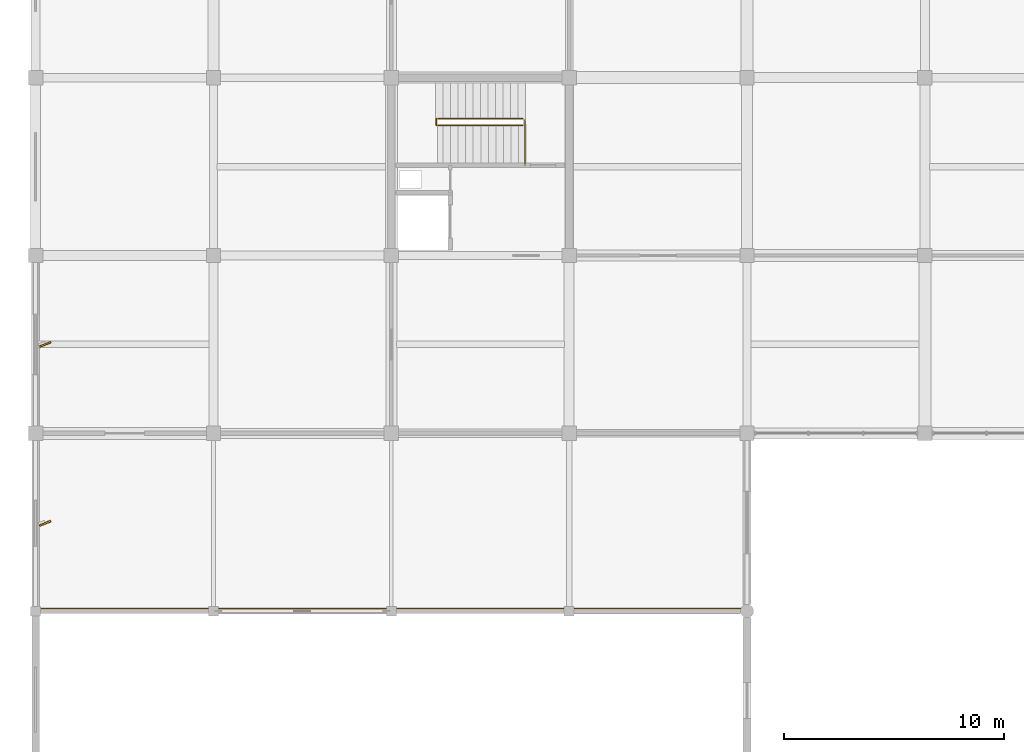
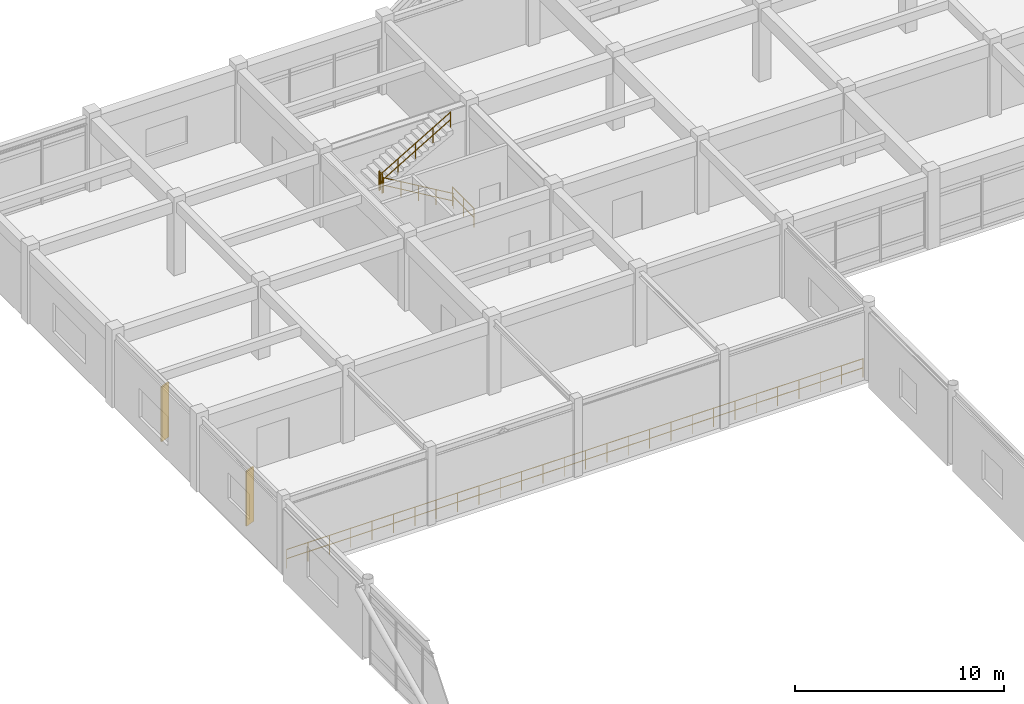
# One storey, part 87 of 93: 5 railings, 2 shading devices.
"""IFC4 building model written with IfcOpenShell, lengths in metres."""

from ifc_helpers import new_model, si_unit, direction, frame, origin, origin_2d, place, context, subcontext, project, spatial, rectangle, circle, extrude, material, type_object, element, save


model = new_model("IFC4")

# Units and contexts
model_context = context("Model", 3, precision=1e-05, world=origin(), true_north=direction((0.0, 1.0)))
body_context = subcontext(model_context, "Body", "Model", "MODEL_VIEW")
ifc_project = project(units=[si_unit("LENGTHUNIT", "METRE"), si_unit("AREAUNIT", "SQUARE_METRE"), si_unit("VOLUMEUNIT", "CUBIC_METRE"), si_unit("PLANEANGLEUNIT", "RADIAN"), si_unit("MASSUNIT", "GRAM", prefix="KILO")], contexts=[model_context])

# Site, building, storey
site_placement = place(None, origin())
site = spatial("IfcSite", under=ifc_project, at=site_placement, CompositionType="ELEMENT")
building_placement = place(site_placement, origin())
building = spatial("IfcBuilding", under=site, at=building_placement, Name="Vaudrelin Polytechnic", CompositionType="ELEMENT")
storey_placement = place(building_placement, frame((0.0, 0.0, 5.10009765625)))
storey = spatial("IfcBuildingStorey", under=building, at=storey_placement, Name="L01", CompositionType="ELEMENT", Elevation=5.10009765625)

# Shading devices
ifc_material_1 = material(Name="Anodised perforated aluminium AA 5005", Category="aluminium")
shading_device_type = type_object("IfcShadingDeviceType", Name="ENV-SF-FIN1", PredefinedType="USERDEFINED", material=ifc_material_1)
for number, where, z_axis, x_axis, name in (
    (1, (0.429931640625, 93.10009765625, 0.19970703125), (0.0, 0.0, 1.0), (0.927183854567, 0.374606593416, 0.0), "Perforated solar fin SF-017"),
    (2, (0.43994140625, 101.25, 0.19970703125), (0.0, 0.0, 1.0), (0.927183854567, 0.374606593416, 0.0), "Perforated solar fin SF-018"),
):
    element("IfcShadingDevice", number, at=place(storey_placement, frame(where, z_axis=z_axis, x_axis=x_axis)), inside=storey, type_object=shading_device_type, Name=name, ObjectType="SOLAR FIN", PredefinedType="USERDEFINED", context=body_context, shape_type="SweptSolid", body=[
        extrude(rectangle(XDim=0.550048828125, YDim=0.080078125, at=origin_2d()), origin(), (0.0, 0.0, 1.0), 3.199951171875),
    ])

# Railings
ifc_material_2 = material(Name="Brushed stainless steel AISI 304", Category="steel")
railing_type_1 = type_object("IfcRailingType", Name="RAL-GR-INT", PredefinedType="GUARDRAIL", material=ifc_material_2)
railing_1_placement = place(storey_placement, frame((22.280029296875, 109.409912109375, 0.0)))
element("IfcRailing", 3, at=railing_1_placement, inside=storey, type_object=railing_type_1, Name="ST-01-L00 upper well guardrail", PredefinedType="GUARDRAIL", context=body_context, shape_type="SweptSolid", body=[
    extrude(circle(Radius=0.02392578125, at=origin_2d()), frame((0.0, 0.023193359375, 1.09619140625), z_axis=(0.0, 1.0, 0.0), x_axis=(-1.0, 0.0, 0.0)), (0.0, 0.0, 1.0), 2.02392578125),
    extrude(circle(Radius=0.02392578125, at=origin_2d()), frame((0.0, 0.023193359375, 0.56005859375), z_axis=(0.0, 1.0, 0.0), x_axis=(-1.0, 0.0, 0.0)), (0.0, 0.0, 1.0), 2.02392578125),
    extrude(circle(Radius=0.02099609375, at=origin_2d()), origin(), (0.0, 0.0, 1.0), 1.1201171875),
    extrude(circle(Radius=0.02099609375, at=origin_2d()), frame((0.0, 1.03515625, 0.0)), (0.0, 0.0, 1.0), 1.1201171875),
    extrude(circle(Radius=0.02099609375, at=origin_2d()), frame((0.0, 2.070068359375, 0.0)), (0.0, 0.0, 1.0), 1.1201171875),
])
railing_2_placement = place(storey_placement, frame((18.25, 111.239990234375, 2.294921875)))
element("IfcRailing", 4, at=railing_2_placement, inside=storey, type_object=railing_type_1, Name="ST-01-L01 landing well guardrail", PredefinedType="GUARDRAIL", context=body_context, shape_type="SweptSolid", body=[
    extrude(circle(Radius=0.02392578125, at=origin_2d()), frame((0.0, 0.023193359375, 1.09619140625), z_axis=(0.0, 1.0, 0.0), x_axis=(-1.0, 0.0, 0.0)), (0.0, 0.0, 1.0), 0.23388671875),
    extrude(circle(Radius=0.02392578125, at=origin_2d()), frame((0.0, 0.023193359375, 0.56005859375), z_axis=(0.0, 1.0, 0.0), x_axis=(-1.0, 0.0, 0.0)), (0.0, 0.0, 1.0), 0.23388671875),
    extrude(circle(Radius=0.02099609375, at=origin_2d()), origin(), (0.0, 0.0, 1.0), 1.1201171875),
    extrude(circle(Radius=0.02099609375, at=origin_2d()), frame((0.0, 0.280029296875, 0.0)), (0.0, 0.0, 1.0), 1.1201171875),
])
railing_3_placement = place(storey_placement, frame((0.25, 89.219970703125, 0.0)))
element("IfcRailing", 5, at=railing_3_placement, inside=storey, type_object=railing_type_1, Name="Workshop mezzanine south edge guardrail", PredefinedType="GUARDRAIL", context=body_context, shape_type="SweptSolid", body=[
    extrude(circle(Radius=0.02392578125, at=origin_2d()), frame((0.023193359375, 0.0, 1.09619140625), z_axis=(1.0, 0.0, 0.0), x_axis=(0.0, 1.0, 0.0)), (0.0, 0.0, 1.0), 31.853759765625),
    extrude(circle(Radius=0.02392578125, at=origin_2d()), frame((0.023193359375, 0.0, 0.56005859375), z_axis=(1.0, 0.0, 0.0), x_axis=(0.0, 1.0, 0.0)), (0.0, 0.0, 1.0), 31.853759765625),
    extrude(circle(Radius=0.02099609375, at=origin_2d()), origin(), (0.0, 0.0, 1.0), 1.1201171875),
    extrude(circle(Radius=0.02099609375, at=origin_2d()), frame((1.181396484375, 0.0, 0.0)), (0.0, 0.0, 1.0), 1.1201171875),
    extrude(circle(Radius=0.02099609375, at=origin_2d()), frame((2.363037109375, 0.0, 0.0)), (0.0, 0.0, 1.0), 1.1201171875),
    extrude(circle(Radius=0.02099609375, at=origin_2d()), frame((3.54443359375, 0.0, 0.0)), (0.0, 0.0, 1.0), 1.1201171875),
    extrude(circle(Radius=0.02099609375, at=origin_2d()), frame((4.725830078125, 0.0, 0.0)), (0.0, 0.0, 1.0), 1.1201171875),
    extrude(circle(Radius=0.02099609375, at=origin_2d()), frame((5.907470703125, 0.0, 0.0)), (0.0, 0.0, 1.0), 1.1201171875),
    extrude(circle(Radius=0.02099609375, at=origin_2d()), frame((7.0888671875, 0.0, 0.0)), (0.0, 0.0, 1.0), 1.1201171875),
    extrude(circle(Radius=0.02099609375, at=origin_2d()), frame((8.270263671875, 0.0, 0.0)), (0.0, 0.0, 1.0), 1.1201171875),
    extrude(circle(Radius=0.02099609375, at=origin_2d()), frame((9.451904296875, 0.0, 0.0)), (0.0, 0.0, 1.0), 1.1201171875),
    extrude(circle(Radius=0.02099609375, at=origin_2d()), frame((10.63330078125, 0.0, 0.0)), (0.0, 0.0, 1.0), 1.1201171875),
    extrude(circle(Radius=0.02099609375, at=origin_2d()), frame((11.814697265625, 0.0, 0.0)), (0.0, 0.0, 1.0), 1.1201171875),
    extrude(circle(Radius=0.02099609375, at=origin_2d()), frame((12.996337890625, 0.0, 0.0)), (0.0, 0.0, 1.0), 1.1201171875),
    extrude(circle(Radius=0.02099609375, at=origin_2d()), frame((14.177734375, 0.0, 0.0)), (0.0, 0.0, 1.0), 1.1201171875),
    extrude(circle(Radius=0.02099609375, at=origin_2d()), frame((15.359130859375, 0.0, 0.0)), (0.0, 0.0, 1.0), 1.1201171875),
    extrude(circle(Radius=0.02099609375, at=origin_2d()), frame((16.540771484375, 0.0, 0.0)), (0.0, 0.0, 1.0), 1.1201171875),
    extrude(circle(Radius=0.02099609375, at=origin_2d()), frame((17.72216796875, 0.0, 0.0)), (0.0, 0.0, 1.0), 1.1201171875),
    extrude(circle(Radius=0.02099609375, at=origin_2d()), frame((18.903564453125, 0.0, 0.0)), (0.0, 0.0, 1.0), 1.1201171875),
    extrude(circle(Radius=0.02099609375, at=origin_2d()), frame((20.085205078125, 0.0, 0.0)), (0.0, 0.0, 1.0), 1.1201171875),
    extrude(circle(Radius=0.02099609375, at=origin_2d()), frame((21.2666015625, 0.0, 0.0)), (0.0, 0.0, 1.0), 1.1201171875),
    extrude(circle(Radius=0.02099609375, at=origin_2d()), frame((22.447998046875, 0.0, 0.0)), (0.0, 0.0, 1.0), 1.1201171875),
    extrude(circle(Radius=0.02099609375, at=origin_2d()), frame((23.629638671875, 0.0, 0.0)), (0.0, 0.0, 1.0), 1.1201171875),
    extrude(circle(Radius=0.02099609375, at=origin_2d()), frame((24.81103515625, 0.0, 0.0)), (0.0, 0.0, 1.0), 1.1201171875),
    extrude(circle(Radius=0.02099609375, at=origin_2d()), frame((25.992431640625, 0.0, 0.0)), (0.0, 0.0, 1.0), 1.1201171875),
    extrude(circle(Radius=0.02099609375, at=origin_2d()), frame((27.174072265625, 0.0, 0.0)), (0.0, 0.0, 1.0), 1.1201171875),
    extrude(circle(Radius=0.02099609375, at=origin_2d()), frame((28.35546875, 0.0, 0.0)), (0.0, 0.0, 1.0), 1.1201171875),
    extrude(circle(Radius=0.02099609375, at=origin_2d()), frame((29.536865234375, 0.0, 0.0)), (0.0, 0.0, 1.0), 1.1201171875),
    extrude(circle(Radius=0.02099609375, at=origin_2d()), frame((30.718505859375, 0.0, 0.0)), (0.0, 0.0, 1.0), 1.1201171875),
    extrude(circle(Radius=0.02099609375, at=origin_2d()), frame((31.89990234375, 0.0, 0.0)), (0.0, 0.0, 1.0), 1.1201171875),
])
railing_type_2 = type_object("IfcRailingType", Name="RAL-HR-STR", PredefinedType="HANDRAIL", material=ifc_material_2)
railing_4_placement = place(storey_placement, frame((22.199951171875, 111.22998046875, 0.0)))
element("IfcRailing", 6, at=railing_4_placement, inside=storey, type_object=railing_type_2, Name="ST-01-L01 flight 1 handrail", PredefinedType="HANDRAIL", context=body_context, shape_type="SweptSolid", body=[
    extrude(circle(Radius=0.02392578125, at=origin_2d()), frame((-0.019775390625, 0.0, 0.90771484375), z_axis=(-0.861280376615, 0.0, 0.508130015702), x_axis=(0.0, -1.0, 0.0)), (0.0, 0.0, 1.0), 4.47021484375),
    extrude(circle(Radius=0.02392578125, at=origin_2d()), frame((-0.019775390625, 0.0, 0.4716796875), z_axis=(-0.861280376615, 0.0, 0.508130015702), x_axis=(0.0, -1.0, 0.0)), (0.0, 0.0, 1.0), 4.47021484375),
    extrude(circle(Radius=0.02099609375, at=origin_2d()), origin(), (0.0, 0.0, 1.0), 0.919921875),
    extrude(circle(Radius=0.02099609375, at=origin_2d()), frame((-0.972412109375, 0.0, 0.57373046875)), (0.0, 0.0, 1.0), 0.919921875),
    extrude(circle(Radius=0.02099609375, at=origin_2d()), frame((-1.94482421875, 0.0, 1.1474609375)), (0.0, 0.0, 1.0), 0.919921875),
    extrude(circle(Radius=0.02099609375, at=origin_2d()), frame((-2.91748046875, 0.0, 1.72119140625)), (0.0, 0.0, 1.0), 0.919921875),
    extrude(circle(Radius=0.02099609375, at=origin_2d()), frame((-3.889892578125, 0.0, 2.294921875)), (0.0, 0.0, 1.0), 0.919921875),
])
railing_5_placement = place(storey_placement, frame((18.31005859375, 111.530029296875, 2.294921875)))
element("IfcRailing", 7, at=railing_5_placement, inside=storey, type_object=railing_type_2, Name="ST-01-L01 flight 2 handrail", PredefinedType="HANDRAIL", context=body_context, shape_type="SweptSolid", body=[
    extrude(circle(Radius=0.02392578125, at=origin_2d()), frame((0.019775390625, 0.0, 0.90771484375), z_axis=(0.861280376615, 0.0, 0.508130015702), x_axis=(0.0, 1.0, 0.0)), (0.0, 0.0, 1.0), 4.47021484375),
    extrude(circle(Radius=0.02392578125, at=origin_2d()), frame((0.019775390625, 0.0, 0.4716796875), z_axis=(0.861280376615, 0.0, 0.508130015702), x_axis=(0.0, 1.0, 0.0)), (0.0, 0.0, 1.0), 4.47021484375),
    extrude(circle(Radius=0.02099609375, at=origin_2d()), origin(), (0.0, 0.0, 1.0), 0.919921875),
    extrude(circle(Radius=0.02099609375, at=origin_2d()), frame((0.972412109375, 0.0, 0.57373046875)), (0.0, 0.0, 1.0), 0.919921875),
    extrude(circle(Radius=0.02099609375, at=origin_2d()), frame((1.94482421875, 0.0, 1.1474609375)), (0.0, 0.0, 1.0), 0.919921875),
    extrude(circle(Radius=0.02099609375, at=origin_2d()), frame((2.91748046875, 0.0, 1.72119140625)), (0.0, 0.0, 1.0), 0.919921875),
    extrude(circle(Radius=0.02099609375, at=origin_2d()), frame((3.889892578125, 0.0, 2.294921875)), (0.0, 0.0, 1.0), 0.919921875),
])

save(model, "model.ifc")
